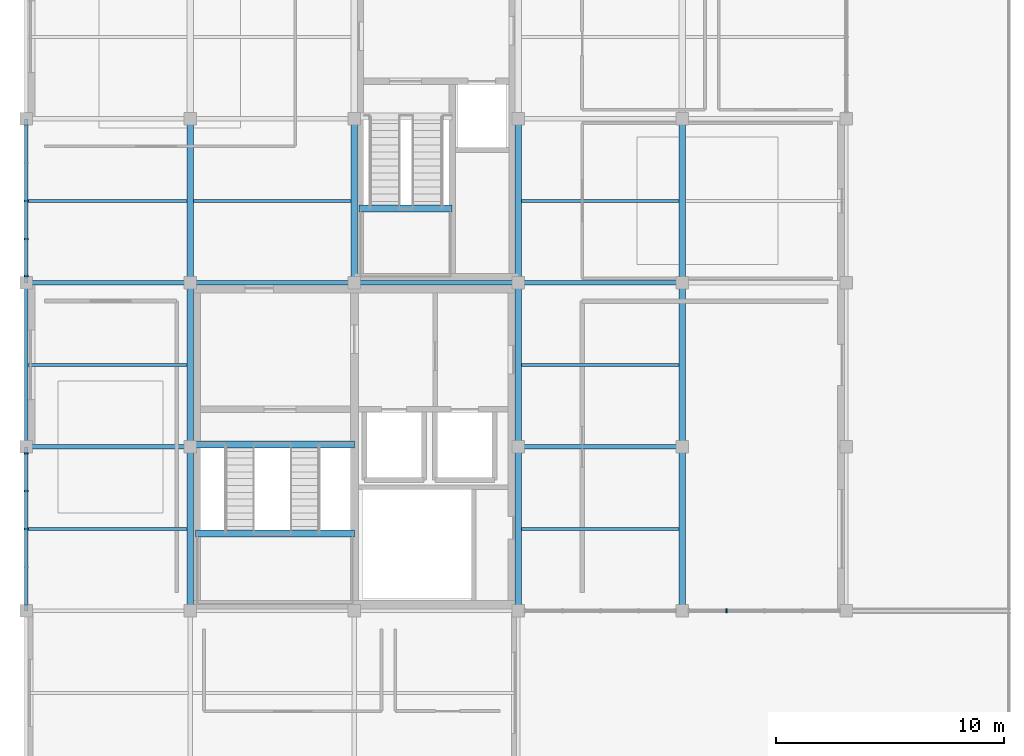
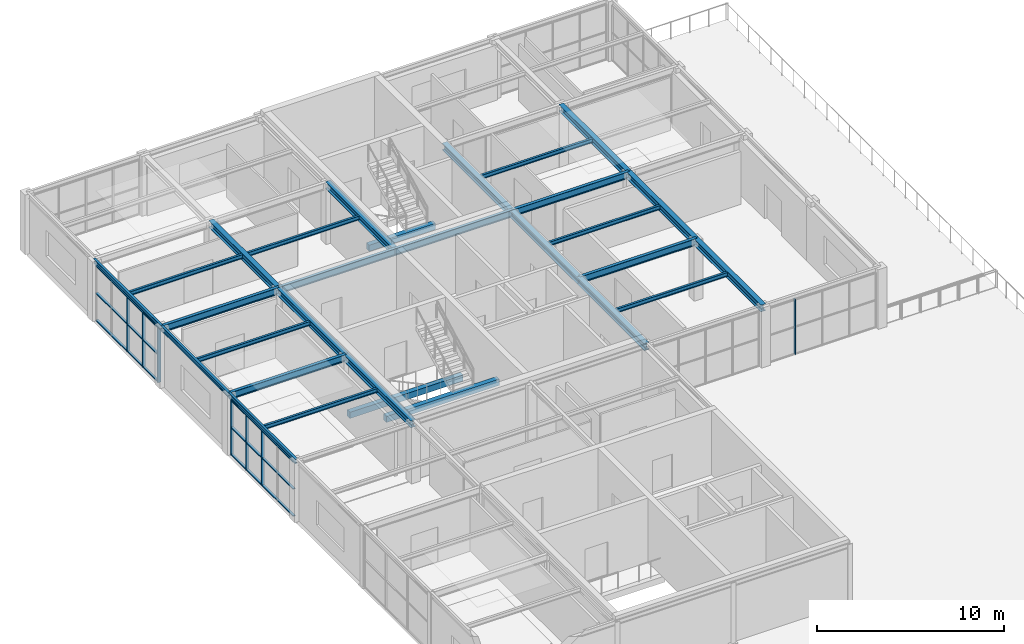
# One storey, part 8 of 30: 29 beams, 13 members, 3 elements without a shape of their own.
"""IFC4 building model written with IfcOpenShell, lengths in metres."""

from ifc_helpers import new_model, si_unit, direction, frame, origin, origin_2d, place, context, subcontext, project, spatial, rectangle, i_section, extrude, material, material_profile, profile_set, type_object, element, aggregate, save


model = new_model("IFC4")

# Units and contexts
model_context = context("Model", 3, precision=1e-05, world=origin(), true_north=direction((0.0, 1.0)))
body_context = subcontext(model_context, "Body", "Model", "MODEL_VIEW")
ifc_project = project(units=[si_unit("LENGTHUNIT", "METRE"), si_unit("AREAUNIT", "SQUARE_METRE"), si_unit("VOLUMEUNIT", "CUBIC_METRE"), si_unit("PLANEANGLEUNIT", "RADIAN"), si_unit("MASSUNIT", "GRAM", prefix="KILO")], contexts=[model_context])

# Site, building, storey
site_placement = place(None, origin())
site = spatial("IfcSite", under=ifc_project, at=site_placement, CompositionType="ELEMENT")
building_placement = place(site_placement, origin())
building = spatial("IfcBuilding", under=site, at=building_placement, Name="Leyfeld Transit Interchange", CompositionType="ELEMENT")
storey_placement = place(building_placement, frame((0.0, 0.0, 13.800048828125)))
storey = spatial("IfcBuildingStorey", under=building, at=storey_placement, Name="L03", CompositionType="ELEMENT", Elevation=13.800048828125)

# Beams
ifc_material_1 = material(Name="Concrete C35/45", Category="concrete")
ifc_material_profile_1 = material_profile(ifc_material_1, rectangle(XDim=0.300048828125, YDim=0.39990234375, at=origin_2d()), Name="RC 400x300")
ifc_profile_set_1 = profile_set([ifc_material_profile_1], Name="Concrete C35/45")
beam_type_1 = type_object("IfcBeamType", Name="BM-RC-400x300", PredefinedType="LINTEL", material=ifc_profile_set_1)
for number, where, z_axis, x_axis, name in (
    (1, (7.425048828125, 100.89990234375, -0.199951171875), (1.0, 0.0, 0.0), (0.0, 1.0, 0.0), "Core K1 Floor Landing Corbel L03"),
    (2, (7.425048828125, 97.0, 1.89990234375), (1.0, 0.0, 0.0), (0.0, 1.0, 0.0), "Stair ST-01 L03 Half-Landing Corbel"),
):
    element("IfcBeam", number, at=place(storey_placement, frame(where, z_axis=z_axis, x_axis=x_axis)), inside=storey, type_object=beam_type_1, Name=name, PredefinedType="LINTEL", context=body_context, shape_type="SweptSolid", body=[
        extrude(rectangle(XDim=0.300048828125, YDim=0.39990234375, at=origin_2d()), origin(), (0.0, 0.0, 1.0), 6.974853515625),
    ])
beam_1_placement = place(storey_placement, frame((14.60009765625, 111.27001953125, 1.89990234375), z_axis=(1.0, 0.0, 0.0), x_axis=(0.0, 1.0, 0.0)))
element("IfcBeam", 3, at=beam_1_placement, inside=storey, type_object=beam_type_1, Name="Stair ST-02 L03 Half-Landing Corbel", PredefinedType="LINTEL", context=body_context, shape_type="SweptSolid", body=[
    extrude(rectangle(XDim=0.300048828125, YDim=0.39990234375, at=origin_2d()), origin(), (0.0, 0.0, 1.0), 4.099853515625),
])
ifc_material_2 = material(Name="Steel S355J2", Category="steel")
ifc_material_profile_2 = material_profile(ifc_material_2, i_section(OverallWidth=0.300048828125, OverallDepth=0.449951171875, WebThickness=0.013916015625, FlangeThickness=0.02587890625, FilletRadius=0.027099609375, at=origin_2d()), Name="HEB 450")
ifc_profile_set_2 = profile_set([ifc_material_profile_2], Name="Steel S355J2")
beam_type_2 = type_object("IfcBeamType", Name="BM-STL-HEB450", PredefinedType="JOIST", material=ifc_profile_set_2)
for number, where, z_axis, x_axis, name in (
    (4, (7.199951171875, 93.60009765625, 3.675048828125), (0.0, 1.0, 0.0), (-1.0, 0.0, 0.0), "Beam BM-L03-0072_0936-0072_1008"),
    (5, (7.199951171875, 100.800048828125, 3.675048828125), (0.0, 1.0, 0.0), (-1.0, 0.0, 0.0), "Beam BM-L03-0072_1008-0072_1080"),
    (6, (7.199951171875, 108.0, 3.675048828125), (0.0, 1.0, 0.0), (-1.0, 0.0, 0.0), "Beam BM-L03-0072_1080-0072_1152"),
    (7, (14.39990234375, 108.0, 3.675048828125), (0.0, 1.0, 0.0), (-1.0, 0.0, 0.0), "Beam BM-L03-0144_1080-0144_1152"),
    (8, (21.60009765625, 93.60009765625, 3.675048828125), (0.0, 1.0, 0.0), (-1.0, 0.0, 0.0), "Beam BM-L03-0216_0936-0216_1008"),
    (9, (21.60009765625, 100.800048828125, 3.675048828125), (0.0, 1.0, 0.0), (-1.0, 0.0, 0.0), "Beam BM-L03-0216_1008-0216_1080"),
    (10, (21.60009765625, 108.0, 3.675048828125), (0.0, 1.0, 0.0), (-1.0, 0.0, 0.0), "Beam BM-L03-0216_1080-0216_1152"),
    (11, (28.800048828125, 93.60009765625, 3.675048828125), (0.0, 1.0, 0.0), (-1.0, 0.0, 0.0), "Beam BM-L03-0288_0936-0288_1008"),
    (12, (28.800048828125, 100.800048828125, 3.675048828125), (0.0, 1.0, 0.0), (-1.0, 0.0, 0.0), "Beam BM-L03-0288_1008-0288_1080"),
    (13, (28.800048828125, 108.0, 3.675048828125), (0.0, 1.0, 0.0), (-1.0, 0.0, 0.0), "Beam BM-L03-0288_1080-0288_1152"),
):
    element("IfcBeam", number, at=place(storey_placement, frame(where, z_axis=z_axis, x_axis=x_axis)), inside=storey, type_object=beam_type_2, Name=name, PredefinedType="JOIST", context=body_context, shape_type="SweptSolid", body=[
        extrude(i_section(OverallWidth=0.300048828125, OverallDepth=0.449951171875, WebThickness=0.013916015625, FlangeThickness=0.02587890625, FilletRadius=0.027099609375, at=origin_2d()), origin(), (0.0, 0.0, 1.0), 7.199951171875),
    ])
ifc_material_profile_3 = material_profile(ifc_material_2, i_section(OverallWidth=0.135009765625, OverallDepth=0.27001953125, WebThickness=0.006591796875, FlangeThickness=0.01025390625, FilletRadius=0.014892578125, at=origin_2d()), Name="IPE 270")
ifc_profile_set_3 = profile_set([ifc_material_profile_3], Name="Steel S355J2")
beam_type_3 = type_object("IfcBeamType", Name="BM-STL-IPE270", PredefinedType="BEAM", material=ifc_profile_set_3)
beam_2_placement = place(storey_placement, frame((0.072021484375, 97.199951171875, 3.764892578125), z_axis=(1.0, 0.0, 0.0), x_axis=(0.0, 1.0, 0.0)))
element("IfcBeam", 14, at=beam_2_placement, inside=storey, type_object=beam_type_3, Name="Beam BM-L03-0001_0972-0071_0972", PredefinedType="BEAM", context=body_context, shape_type="SweptSolid", body=[
    extrude(i_section(OverallWidth=0.135009765625, OverallDepth=0.27001953125, WebThickness=0.006591796875, FlangeThickness=0.01025390625, FilletRadius=0.014892578125, at=origin_2d()), origin(), (0.0, 0.0, 1.0), 6.98095703125),
])
beam_3_placement = place(storey_placement, frame((21.7470703125, 97.199951171875, 3.764892578125), z_axis=(1.0, 0.0, 0.0), x_axis=(0.0, 1.0, 0.0)))
element("IfcBeam", 15, at=beam_3_placement, inside=storey, type_object=beam_type_3, Name="Beam BM-L03-0217_0972-0287_0972", PredefinedType="BEAM", context=body_context, shape_type="SweptSolid", body=[
    extrude(i_section(OverallWidth=0.135009765625, OverallDepth=0.27001953125, WebThickness=0.006591796875, FlangeThickness=0.01025390625, FilletRadius=0.014892578125, at=origin_2d()), origin(), (0.0, 0.0, 1.0), 6.906005859375),
])
beam_4_placement = place(storey_placement, frame((0.072021484375, 104.39990234375, 3.764892578125), z_axis=(1.0, 0.0, 0.0), x_axis=(0.0, 1.0, 0.0)))
element("IfcBeam", 16, at=beam_4_placement, inside=storey, type_object=beam_type_3, Name="Beam BM-L03-0001_1044-0071_1044", PredefinedType="BEAM", context=body_context, shape_type="SweptSolid", body=[
    extrude(i_section(OverallWidth=0.135009765625, OverallDepth=0.27001953125, WebThickness=0.006591796875, FlangeThickness=0.01025390625, FilletRadius=0.014892578125, at=origin_2d()), origin(), (0.0, 0.0, 1.0), 6.98095703125),
])
beam_5_placement = place(storey_placement, frame((21.7470703125, 104.39990234375, 3.764892578125), z_axis=(1.0, 0.0, 0.0), x_axis=(0.0, 1.0, 0.0)))
element("IfcBeam", 17, at=beam_5_placement, inside=storey, type_object=beam_type_3, Name="Beam BM-L03-0217_1044-0287_1044", PredefinedType="BEAM", context=body_context, shape_type="SweptSolid", body=[
    extrude(i_section(OverallWidth=0.135009765625, OverallDepth=0.27001953125, WebThickness=0.006591796875, FlangeThickness=0.01025390625, FilletRadius=0.014892578125, at=origin_2d()), origin(), (0.0, 0.0, 1.0), 6.906005859375),
])
beam_6_placement = place(storey_placement, frame((0.072021484375, 111.60009765625, 3.764892578125), z_axis=(1.0, 0.0, 0.0), x_axis=(0.0, 1.0, 0.0)))
element("IfcBeam", 18, at=beam_6_placement, inside=storey, type_object=beam_type_3, Name="Beam BM-L03-0001_1116-0071_1116", PredefinedType="BEAM", context=body_context, shape_type="SweptSolid", body=[
    extrude(i_section(OverallWidth=0.135009765625, OverallDepth=0.27001953125, WebThickness=0.006591796875, FlangeThickness=0.01025390625, FilletRadius=0.014892578125, at=origin_2d()), origin(), (0.0, 0.0, 1.0), 6.98095703125),
])
for number, where, z_axis, x_axis, name in (
    (19, (7.346923828125, 111.60009765625, 3.764892578125), (1.0, 0.0, 0.0), (0.0, 1.0, 0.0), "Beam BM-L03-0073_1116-0143_1116"),
    (20, (21.7470703125, 111.60009765625, 3.764892578125), (1.0, 0.0, 0.0), (0.0, 1.0, 0.0), "Beam BM-L03-0217_1116-0287_1116"),
):
    element("IfcBeam", number, at=place(storey_placement, frame(where, z_axis=z_axis, x_axis=x_axis)), inside=storey, type_object=beam_type_3, Name=name, PredefinedType="BEAM", context=body_context, shape_type="SweptSolid", body=[
        extrude(i_section(OverallWidth=0.135009765625, OverallDepth=0.27001953125, WebThickness=0.006591796875, FlangeThickness=0.01025390625, FilletRadius=0.014892578125, at=origin_2d()), origin(), (0.0, 0.0, 1.0), 6.906005859375),
    ])
ifc_material_profile_4 = material_profile(ifc_material_2, i_section(OverallWidth=0.14990234375, OverallDepth=0.300048828125, WebThickness=0.007080078125, FlangeThickness=0.0107421875, FilletRadius=0.014892578125, at=origin_2d()), Name="IPE 300")
ifc_profile_set_4 = profile_set([ifc_material_profile_4], Name="Steel S355J2")
beam_type_4 = type_object("IfcBeamType", Name="BM-STL-IPE300", PredefinedType="SPANDREL", material=ifc_profile_set_4)
for number, where, z_axis, x_axis, name in (
    (21, (0.0, 93.60009765625, 3.75), (0.0, 1.0, 0.0), (-1.0, 0.0, 0.0), "Beam BM-L03-0000_0936-0000_1008"),
    (22, (0.0, 100.800048828125, 3.75), (0.0, 1.0, 0.0), (-1.0, 0.0, 0.0), "Beam BM-L03-0000_1008-0000_1080"),
    (23, (0.0, 108.0, 3.75), (0.0, 1.0, 0.0), (-1.0, 0.0, 0.0), "Beam BM-L03-0000_1080-0000_1152"),
):
    element("IfcBeam", number, at=place(storey_placement, frame(where, z_axis=z_axis, x_axis=x_axis)), inside=storey, type_object=beam_type_4, Name=name, PredefinedType="SPANDREL", context=body_context, shape_type="SweptSolid", body=[
        extrude(i_section(OverallWidth=0.14990234375, OverallDepth=0.300048828125, WebThickness=0.007080078125, FlangeThickness=0.0107421875, FilletRadius=0.014892578125, at=origin_2d()), origin(), (0.0, 0.0, 1.0), 7.199951171875),
    ])
ifc_material_profile_5 = material_profile(ifc_material_2, i_section(OverallWidth=0.18994140625, OverallDepth=0.449951171875, WebThickness=0.009521484375, FlangeThickness=0.0146484375, FilletRadius=0.02099609375, at=origin_2d()), Name="IPE 450")
ifc_profile_set_5 = profile_set([ifc_material_profile_5], Name="Steel S355J2")
beam_type_5 = type_object("IfcBeamType", Name="BM-STL-IPE450", PredefinedType="BEAM", material=ifc_profile_set_5)
for number, where, z_axis, x_axis, name in (
    (24, (0.0, 100.800048828125, 3.675048828125), (1.0, 0.0, 0.0), (0.0, 1.0, 0.0), "Beam BM-L03-0000_1008-0072_1008"),
    (25, (21.60009765625, 100.800048828125, 3.675048828125), (1.0, 0.0, 0.0), (0.0, 1.0, 0.0), "Beam BM-L03-0216_1008-0288_1008"),
    (26, (0.0, 108.0, 3.675048828125), (1.0, 0.0, 0.0), (0.0, 1.0, 0.0), "Beam BM-L03-0000_1080-0072_1080"),
    (27, (7.199951171875, 108.0, 3.675048828125), (1.0, 0.0, 0.0), (0.0, 1.0, 0.0), "Beam BM-L03-0072_1080-0144_1080"),
):
    element("IfcBeam", number, at=place(storey_placement, frame(where, z_axis=z_axis, x_axis=x_axis)), inside=storey, type_object=beam_type_5, Name=name, PredefinedType="BEAM", context=body_context, shape_type="SweptSolid", body=[
        extrude(i_section(OverallWidth=0.18994140625, OverallDepth=0.449951171875, WebThickness=0.009521484375, FlangeThickness=0.0146484375, FilletRadius=0.02099609375, at=origin_2d()), origin(), (0.0, 0.0, 1.0), 7.199951171875),
    ])
beam_7_placement = place(storey_placement, frame((14.39990234375, 108.0, 3.675048828125), z_axis=(1.0, 0.0, 0.0), x_axis=(0.0, 1.0, 0.0)))
element("IfcBeam", 28, at=beam_7_placement, inside=storey, type_object=beam_type_5, Name="Beam BM-L03-0144_1080-0216_1080", PredefinedType="BEAM", context=body_context, shape_type="SweptSolid", body=[
    extrude(i_section(OverallWidth=0.18994140625, OverallDepth=0.449951171875, WebThickness=0.009521484375, FlangeThickness=0.0146484375, FilletRadius=0.02099609375, at=origin_2d()), origin(), (0.0, 0.0, 1.0), 7.2001953125),
])
beam_8_placement = place(storey_placement, frame((21.60009765625, 108.0, 3.675048828125), z_axis=(1.0, 0.0, 0.0), x_axis=(0.0, 1.0, 0.0)))
element("IfcBeam", 29, at=beam_8_placement, inside=storey, type_object=beam_type_5, Name="Beam BM-L03-0216_1080-0288_1080", PredefinedType="BEAM", context=body_context, shape_type="SweptSolid", body=[
    extrude(i_section(OverallWidth=0.18994140625, OverallDepth=0.449951171875, WebThickness=0.009521484375, FlangeThickness=0.0146484375, FilletRadius=0.02099609375, at=origin_2d()), origin(), (0.0, 0.0, 1.0), 7.199951171875),
])

# Curtain wall, members
ifc_material_3 = material(Name="Anodised aluminium EN AW-6060 T66", Category="aluminium")
curtain_wall_type = type_object("IfcCurtainWallType", Name="CW-SYS-OPS-7200", PredefinedType="NOTDEFINED", material=ifc_material_3)
curtain_wall_1_placement = place(storey_placement, origin())
curtain_wall_1 = element("IfcCurtainWall", 30, at=curtain_wall_1_placement, inside=storey, type_object=curtain_wall_type, Name="Curtain Wall CW-L03-121", PredefinedType="NOTDEFINED")
ifc_material_profile_6 = material_profile(ifc_material_3, rectangle(XDim=0.06494140625, YDim=0.179931640625, at=origin_2d()), Name="CW-M 65x180")
ifc_profile_set_6 = profile_set([ifc_material_profile_6], Name="Anodised aluminium EN AW-6060 T66")
member_type_1 = type_object("IfcMemberType", Name="CW-MUL-150x65", PredefinedType="MULLION", material=ifc_profile_set_6)
member_1_placement = place(storey_placement, frame((0.0, 97.199951171875, 0.0), z_axis=(0.0, 0.0, 1.0), x_axis=(0.0, 1.0, 0.0)))
member_1 = element("IfcMember", 31, at=member_1_placement, type_object=member_type_1, Name="Curtain Mullion CW-L03-121-M03", PredefinedType="MULLION", context=body_context, shape_type="SweptSolid", body=[
    extrude(rectangle(XDim=0.06494140625, YDim=0.179931640625, at=origin_2d()), origin(), (0.0, 0.0, 1.0), 3.599853515625),
])
member_2_placement = place(storey_placement, frame((0.0, 98.867431640625, 0.0), z_axis=(0.0, 0.0, 1.0), x_axis=(0.0, 1.0, 0.0)))
member_2 = element("IfcMember", 32, at=member_2_placement, type_object=member_type_1, Name="Curtain Mullion CW-L03-121-M04", PredefinedType="MULLION", context=body_context, shape_type="SweptSolid", body=[
    extrude(rectangle(XDim=0.06494140625, YDim=0.179931640625, at=origin_2d()), origin(), (0.0, 0.0, 1.0), 3.599853515625),
])
member_3_placement = place(storey_placement, frame((0.0, 100.50244140625, 0.0), z_axis=(0.0, 0.0, 1.0), x_axis=(0.0, 1.0, 0.0)))
member_3 = element("IfcMember", 33, at=member_3_placement, type_object=member_type_1, Name="Curtain Mullion CW-L03-121-M05", PredefinedType="MULLION", context=body_context, shape_type="SweptSolid", body=[
    extrude(rectangle(XDim=0.06494140625, YDim=0.179931640625, at=origin_2d()), origin(), (0.0, 0.0, 1.0), 3.599853515625),
])

curtain_wall_2_placement = place(storey_placement, origin())
curtain_wall_2 = element("IfcCurtainWall", 34, at=curtain_wall_2_placement, inside=storey, type_object=curtain_wall_type, Name="Curtain Wall CW-L03-122", PredefinedType="NOTDEFINED")
member_4_placement = place(storey_placement, frame((0.0, 108.297607421875, 0.0), z_axis=(0.0, 0.0, 1.0), x_axis=(0.0, 1.0, 0.0)))
member_4 = element("IfcMember", 35, at=member_4_placement, type_object=member_type_1, Name="Curtain Mullion CW-L03-122-M01", PredefinedType="MULLION", context=body_context, shape_type="SweptSolid", body=[
    extrude(rectangle(XDim=0.06494140625, YDim=0.179931640625, at=origin_2d()), origin(), (0.0, 0.0, 1.0), 3.599853515625),
])
member_5_placement = place(storey_placement, frame((0.0, 109.9326171875, 0.0), z_axis=(0.0, 0.0, 1.0), x_axis=(0.0, 1.0, 0.0)))
member_5 = element("IfcMember", 36, at=member_5_placement, type_object=member_type_1, Name="Curtain Mullion CW-L03-122-M02", PredefinedType="MULLION", context=body_context, shape_type="SweptSolid", body=[
    extrude(rectangle(XDim=0.06494140625, YDim=0.179931640625, at=origin_2d()), origin(), (0.0, 0.0, 1.0), 3.599853515625),
])
member_6_placement = place(storey_placement, frame((0.0, 111.60009765625, 0.0), z_axis=(0.0, 0.0, 1.0), x_axis=(0.0, 1.0, 0.0)))
member_6 = element("IfcMember", 37, at=member_6_placement, type_object=member_type_1, Name="Curtain Mullion CW-L03-122-M03", PredefinedType="MULLION", context=body_context, shape_type="SweptSolid", body=[
    extrude(rectangle(XDim=0.06494140625, YDim=0.179931640625, at=origin_2d()), origin(), (0.0, 0.0, 1.0), 3.599853515625),
])

# Curtain wall, member
curtain_wall_3_placement = place(storey_placement, origin())
curtain_wall_3 = element("IfcCurtainWall", 38, at=curtain_wall_3_placement, inside=storey, type_object=curtain_wall_type, Name="Curtain Wall CW-L03-126", PredefinedType="NOTDEFINED")
member_7_placement = place(storey_placement, frame((30.732421875, 93.60009765625, 0.0), z_axis=(0.0, 0.0, 1.0), x_axis=(-1.0, 0.0, 0.0)))
member_7 = element("IfcMember", 39, at=member_7_placement, type_object=member_type_1, Name="Curtain Mullion CW-L03-126-M04", PredefinedType="MULLION", context=body_context, shape_type="SweptSolid", body=[
    extrude(rectangle(XDim=0.06494140625, YDim=0.179931640625, at=origin_2d()), origin(), (0.0, 0.0, 1.0), 3.599853515625),
])
aggregate(curtain_wall_3, [member_7])

# Member
ifc_material_profile_7 = material_profile(ifc_material_3, rectangle(XDim=0.14990234375, YDim=0.06494140625, at=origin_2d()), Name="CW-TRN-135x65")
ifc_profile_set_7 = profile_set([ifc_material_profile_7], Name="Anodised aluminium EN AW-6060 T66")
member_type_2 = type_object("IfcMemberType", Name="CW-TRN-135x65", PredefinedType="USERDEFINED", material=ifc_profile_set_7)
member_8_placement = place(storey_placement, frame((0.0, 93.864990234375, 0.032470703125), z_axis=(0.0, 1.0, 0.0), x_axis=(-1.0, 0.0, 0.0)))
member_8 = element("IfcMember", 40, at=member_8_placement, type_object=member_type_2, Name="Curtain Transom CW-L03-121-T01", ObjectType="TRANSOM", PredefinedType="USERDEFINED", context=body_context, shape_type="SweptSolid", body=[
    extrude(rectangle(XDim=0.14990234375, YDim=0.06494140625, at=origin_2d()), origin(), (0.0, 0.0, 1.0), 6.669921875),
])

member_9_placement = place(storey_placement, frame((0.0, 93.864990234375, 1.800048828125), z_axis=(0.0, 1.0, 0.0), x_axis=(-1.0, 0.0, 0.0)))
member_9 = element("IfcMember", 41, at=member_9_placement, type_object=member_type_2, Name="Curtain Transom CW-L03-121-T02", ObjectType="TRANSOM", PredefinedType="USERDEFINED", context=body_context, shape_type="SweptSolid", body=[
    extrude(rectangle(XDim=0.14990234375, YDim=0.06494140625, at=origin_2d()), origin(), (0.0, 0.0, 1.0), 6.669921875),
])

member_10_placement = place(storey_placement, frame((0.0, 93.864990234375, 3.5673828125), z_axis=(0.0, 1.0, 0.0), x_axis=(-1.0, 0.0, 0.0)))
member_10 = element("IfcMember", 42, at=member_10_placement, type_object=member_type_2, Name="Curtain Transom CW-L03-121-T03", ObjectType="TRANSOM", PredefinedType="USERDEFINED", context=body_context, shape_type="SweptSolid", body=[
    extrude(rectangle(XDim=0.14990234375, YDim=0.06494140625, at=origin_2d()), origin(), (0.0, 0.0, 1.0), 6.669921875),
])

aggregate(curtain_wall_1, [member_1, member_2, member_3, member_8, member_9, member_10])

member_11_placement = place(storey_placement, frame((0.0, 108.264892578125, 0.032470703125), z_axis=(0.0, 1.0, 0.0), x_axis=(-1.0, 0.0, 0.0)))
member_11 = element("IfcMember", 43, at=member_11_placement, type_object=member_type_2, Name="Curtain Transom CW-L03-122-T01", ObjectType="TRANSOM", PredefinedType="USERDEFINED", context=body_context, shape_type="SweptSolid", body=[
    extrude(rectangle(XDim=0.14990234375, YDim=0.06494140625, at=origin_2d()), origin(), (0.0, 0.0, 1.0), 6.670166015625),
])

member_12_placement = place(storey_placement, frame((0.0, 108.264892578125, 1.800048828125), z_axis=(0.0, 1.0, 0.0), x_axis=(-1.0, 0.0, 0.0)))
member_12 = element("IfcMember", 44, at=member_12_placement, type_object=member_type_2, Name="Curtain Transom CW-L03-122-T02", ObjectType="TRANSOM", PredefinedType="USERDEFINED", context=body_context, shape_type="SweptSolid", body=[
    extrude(rectangle(XDim=0.14990234375, YDim=0.06494140625, at=origin_2d()), origin(), (0.0, 0.0, 1.0), 6.670166015625),
])

member_13_placement = place(storey_placement, frame((0.0, 108.264892578125, 3.5673828125), z_axis=(0.0, 1.0, 0.0), x_axis=(-1.0, 0.0, 0.0)))
member_13 = element("IfcMember", 45, at=member_13_placement, type_object=member_type_2, Name="Curtain Transom CW-L03-122-T03", ObjectType="TRANSOM", PredefinedType="USERDEFINED", context=body_context, shape_type="SweptSolid", body=[
    extrude(rectangle(XDim=0.14990234375, YDim=0.06494140625, at=origin_2d()), origin(), (0.0, 0.0, 1.0), 6.670166015625),
])

aggregate(curtain_wall_2, [member_4, member_5, member_6, member_11, member_12, member_13])

save(model, "model.ifc")
